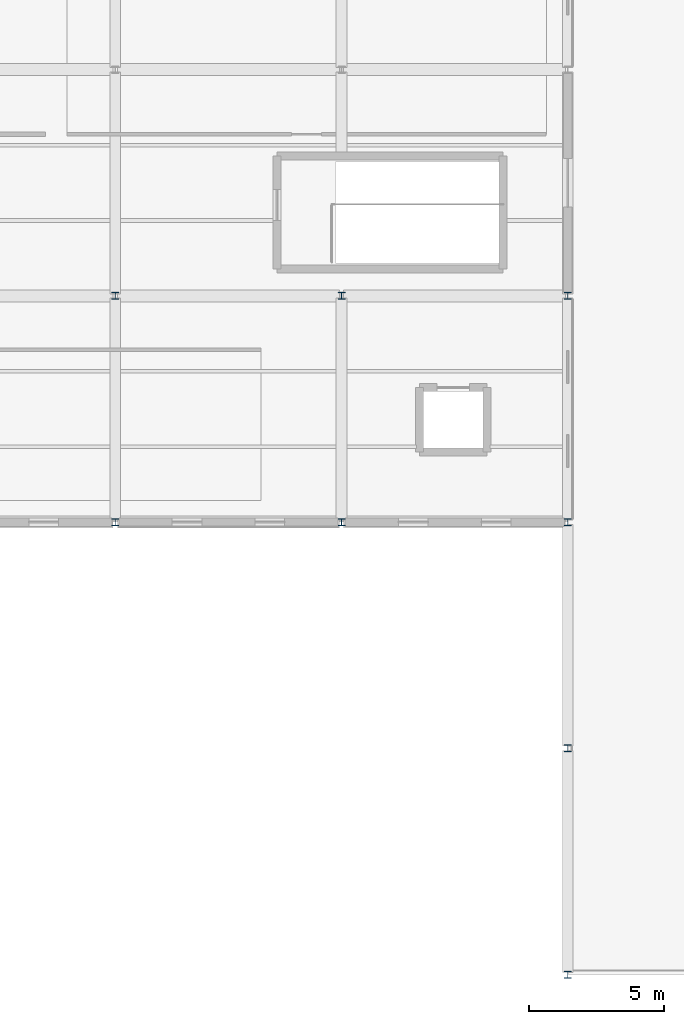
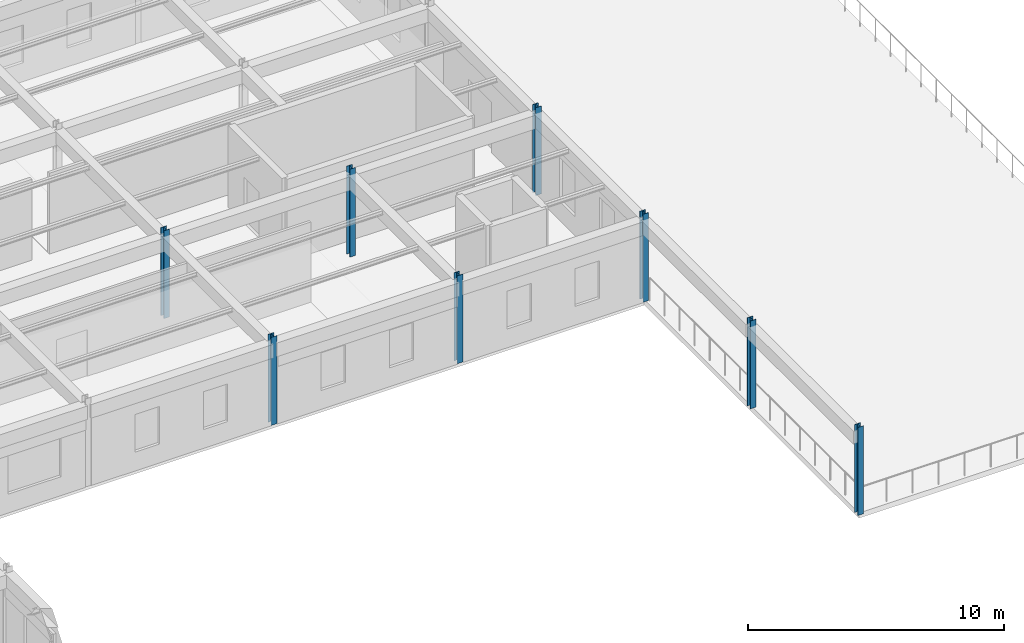
# One storey, part 2 of 83: 8 columns.
"""IFC4 building model written with IfcOpenShell, lengths in metres."""

from ifc_helpers import new_model, si_unit, direction, frame, origin, origin_2d, place, context, subcontext, project, spatial, i_section, extrude, material, material_profile, profile_set, type_object, element, save


model = new_model("IFC4")

# Units and contexts
model_context = context("Model", 3, precision=1e-05, world=origin(), true_north=direction((0.0, 1.0)))
body_context = subcontext(model_context, "Body", "Model", "MODEL_VIEW")
ifc_project = project(units=[si_unit("LENGTHUNIT", "METRE"), si_unit("AREAUNIT", "SQUARE_METRE"), si_unit("VOLUMEUNIT", "CUBIC_METRE"), si_unit("PLANEANGLEUNIT", "RADIAN"), si_unit("MASSUNIT", "GRAM", prefix="KILO"), si_unit("THERMODYNAMICTEMPERATUREUNIT", "KELVIN"), si_unit("POWERUNIT", "WATT")], contexts=[model_context])

# Site, building, storey
site_placement = place(None, origin())
site = spatial("IfcSite", under=ifc_project, at=site_placement, CompositionType="ELEMENT")
building_placement = place(site_placement, origin())
building = spatial("IfcBuilding", under=site, at=building_placement, Name="Darbajah Civic Hall", CompositionType="ELEMENT")
storey_placement = place(building_placement, frame((0.0, 0.0, 18.0)))
storey = spatial("IfcBuildingStorey", under=building, at=storey_placement, Name="L04", CompositionType="ELEMENT", Elevation=18.0)

# Columns
ifc_material = material(Name="Steel S355JR", Category="steel")
ifc_material_profile = material_profile(ifc_material, i_section(OverallWidth=0.25634765625, OverallDepth=0.26025390625, WebThickness=0.01025390625, FlangeThickness=0.017333984375, FilletRadius=0.0126953125, at=origin_2d()), Name="UC 254x254x89")
ifc_profile_set = profile_set([ifc_material_profile], Name="Steel S355JR")
column_type = type_object("IfcColumnType", Name="UC 254x254x89", PredefinedType="COLUMN", material=ifc_profile_set)
for number, where, z_axis, x_axis, name in (
    (1, (33.60009765625, 16.800048828125, 0.0), (0.0, 0.0, 1.0), (1.0, 0.0, 0.0), "L04 column C-UC254"),
    (2, (33.60009765625, 25.199951171875, 0.0), (0.0, 0.0, 1.0), (1.0, 0.0, 0.0), "L04 column C-UC254"),
    (3, (42.0, 16.800048828125, 0.0), (0.0, 0.0, 1.0), (1.0, 0.0, 0.0), "L04 column C-UC254"),
    (4, (42.0, 25.199951171875, 0.0), (0.0, 0.0, 1.0), (1.0, 0.0, 0.0), "L04 column C-UC254"),
    (5, (50.39990234375, 0.0, 0.0), (0.0, 0.0, 1.0), (1.0, 0.0, 0.0), "L04 column C-UC254"),
    (6, (50.39990234375, 8.39990234375, 0.0), (0.0, 0.0, 1.0), (1.0, 0.0, 0.0), "L04 column C-UC254"),
    (7, (50.39990234375, 16.800048828125, 0.0), (0.0, 0.0, 1.0), (1.0, 0.0, 0.0), "L04 column C-UC254"),
    (8, (50.39990234375, 25.199951171875, 0.0), (0.0, 0.0, 1.0), (1.0, 0.0, 0.0), "L04 column C-UC254"),
):
    element("IfcColumn", number, at=place(storey_placement, frame(where, z_axis=z_axis, x_axis=x_axis)), inside=storey, type_object=column_type, Name=name, PredefinedType="COLUMN", context=body_context, shape_type="SweptSolid", body=[
        extrude(i_section(OverallWidth=0.25634765625, OverallDepth=0.26025390625, WebThickness=0.01025390625, FlangeThickness=0.017333984375, FilletRadius=0.0126953125, at=origin_2d()), origin(), (0.0, 0.0, 1.0), 4.199951171875),
    ])

save(model, "model.ifc")
